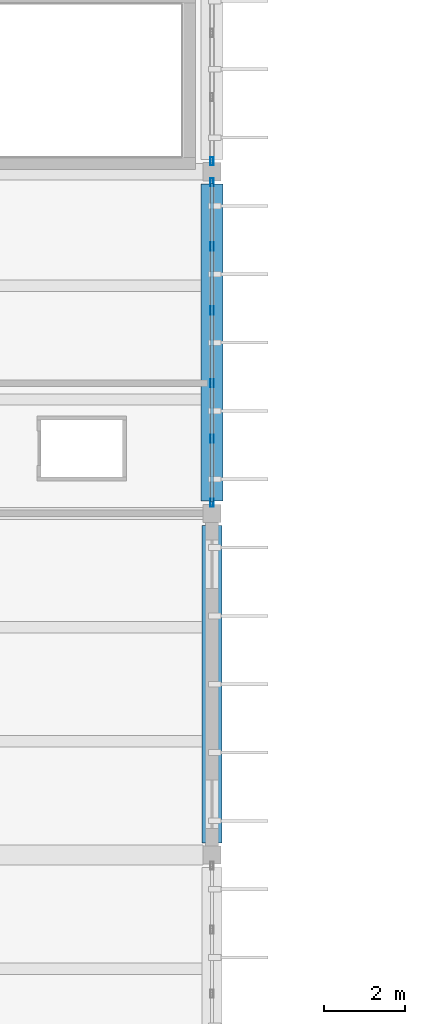
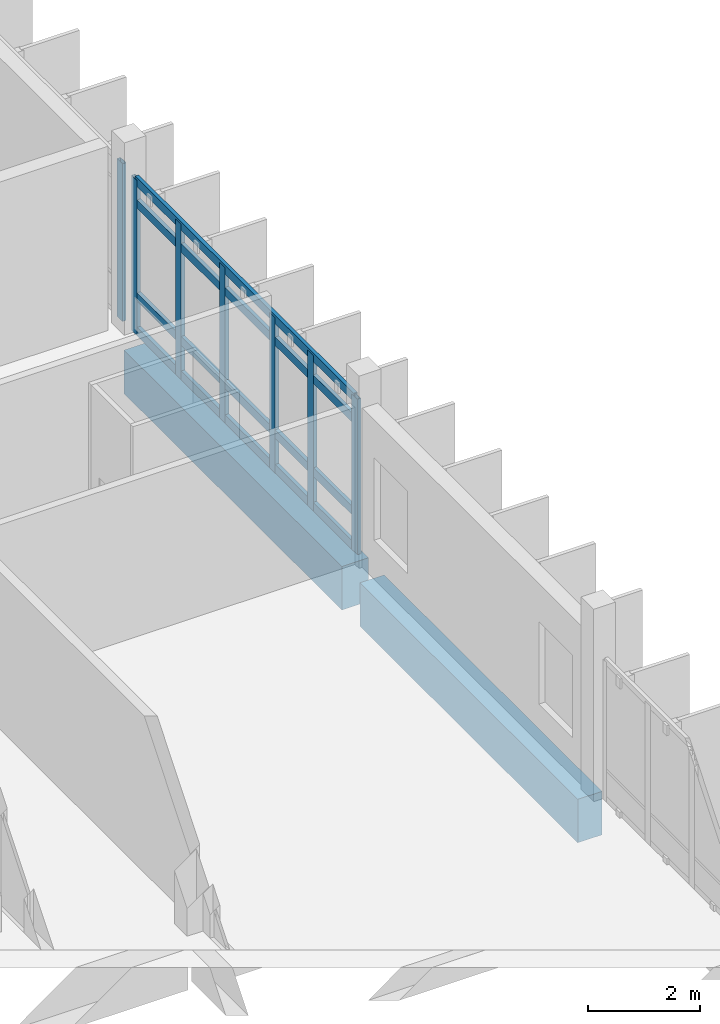
# One storey, part 32 of 62: 11 members, 2 beams, 2 elements without a shape of their own.
"""IFC4 building model written with IfcOpenShell, lengths in metres."""

from ifc_helpers import new_model, si_unit, direction, frame, origin, origin_2d, place, context, subcontext, project, spatial, rectangle, hollow_rectangle, extrude, material, layer, layer_set, material_profile, profile_set, type_object, element, aggregate, save


model = new_model("IFC4")

# Units and contexts
model_context = context("Model", 3, precision=1e-05, world=origin(), true_north=direction((0.0, 1.0)))
body_context = subcontext(model_context, "Body", "Model", "MODEL_VIEW")
ifc_project = project(units=[si_unit("LENGTHUNIT", "METRE"), si_unit("AREAUNIT", "SQUARE_METRE"), si_unit("VOLUMEUNIT", "CUBIC_METRE"), si_unit("PLANEANGLEUNIT", "RADIAN"), si_unit("MASSUNIT", "GRAM", prefix="KILO")], contexts=[model_context])

# Site, building, storey
site_placement = place(None, origin())
site = spatial("IfcSite", under=ifc_project, at=site_placement, CompositionType="ELEMENT")
building_placement = place(site_placement, origin())
building = spatial("IfcBuilding", under=site, at=building_placement, Name="Vireocrest Preparatory School", CompositionType="ELEMENT")
storey_placement = place(building_placement, frame((0.0, 0.0, 17.39990234375)))
storey = spatial("IfcBuildingStorey", under=building, at=storey_placement, Name="L04", CompositionType="ELEMENT", Elevation=17.39990234375)

# Curtain wall, members
ifc_material_1 = material(Name="Thermally broken aluminium EN AW-6063-T6", Category="aluminium")
ifc_layer = layer(ifc_material_1, 0.179931640625)
ifc_layer_set = layer_set([ifc_layer], Name="Thermally broken aluminium EN AW-6063-T6")
curtain_wall_type = type_object("IfcCurtainWallType", Name="Teaching Fin Curtain Wall 8400x4200", PredefinedType="USERDEFINED", material=ifc_layer_set)
curtain_wall_1_placement = place(storey_placement, origin())
curtain_wall_1 = element("IfcCurtainWall", 1, at=curtain_wall_1_placement, inside=storey, type_object=curtain_wall_type, Name="Curtain Wall CW03 CW_L04_CW03_1092_0692_174", ObjectType="CURTAIN WALL", PredefinedType="USERDEFINED")
ifc_material_profile_1 = material_profile(ifc_material_1, hollow_rectangle(XDim=0.074951171875, YDim=0.199951171875, WallThickness=0.0048828125, at=origin_2d()), Name="ALU 75x200x5")
ifc_profile_set_1 = profile_set([ifc_material_profile_1], Name="Thermally broken aluminium EN AW-6063-T6")
member_type_1 = type_object("IfcMemberType", Name="CW Mullion 75x200x5", PredefinedType="MULLION", material=ifc_profile_set_1)
member_1_placement = place(storey_placement, frame((109.199951171875, 69.260009765625, 0.0), z_axis=(0.0, 0.0, 1.0), x_axis=(1.0, 0.0, 0.0)))
member_1 = element("IfcMember", 2, at=member_1_placement, type_object=member_type_1, Name="CW Mullion ML3 CW_L04_CW03_1092_0692_174-1", PredefinedType="MULLION", context=body_context, shape_type="SweptSolid", body=[
    extrude(hollow_rectangle(XDim=0.074951171875, YDim=0.199951171875, WallThickness=0.0048828125, at=origin_2d()), origin(), (0.0, 0.0, 1.0), 3.39501953125),
])
member_2_placement = place(storey_placement, frame((109.199951171875, 70.8359375, 0.0), z_axis=(0.0, 0.0, 1.0), x_axis=(1.0, 0.0, 0.0)))
member_2 = element("IfcMember", 3, at=member_2_placement, type_object=member_type_1, Name="CW Mullion ML3 CW_L04_CW03_1092_0692_174-2", PredefinedType="MULLION", context=body_context, shape_type="SweptSolid", body=[
    extrude(hollow_rectangle(XDim=0.074951171875, YDim=0.199951171875, WallThickness=0.0048828125, at=origin_2d()), origin(), (0.0, 0.0, 1.0), 3.39501953125),
])
member_3_placement = place(storey_placement, frame((109.199951171875, 72.199951171875, 0.0), z_axis=(0.0, 0.0, 1.0), x_axis=(1.0, 0.0, 0.0)))
member_3 = element("IfcMember", 4, at=member_3_placement, type_object=member_type_1, Name="CW Mullion ML3 CW_L04_CW03_1092_0692_174-3", PredefinedType="MULLION", context=body_context, shape_type="SweptSolid", body=[
    extrude(hollow_rectangle(XDim=0.074951171875, YDim=0.199951171875, WallThickness=0.0048828125, at=origin_2d()), origin(), (0.0, 0.0, 1.0), 3.39501953125),
])
member_4_placement = place(storey_placement, frame((109.199951171875, 73.988037109375, 0.0), z_axis=(0.0, 0.0, 1.0), x_axis=(1.0, 0.0, 0.0)))
member_4 = element("IfcMember", 5, at=member_4_placement, type_object=member_type_1, Name="CW Mullion ML3 CW_L04_CW03_1092_0692_174-4", PredefinedType="MULLION", context=body_context, shape_type="SweptSolid", body=[
    extrude(hollow_rectangle(XDim=0.074951171875, YDim=0.199951171875, WallThickness=0.0048828125, at=origin_2d()), origin(), (0.0, 0.0, 1.0), 3.39501953125),
])
member_5_placement = place(storey_placement, frame((109.199951171875, 75.56396484375, 0.0), z_axis=(0.0, 0.0, 1.0), x_axis=(1.0, 0.0, 0.0)))
member_5 = element("IfcMember", 6, at=member_5_placement, type_object=member_type_1, Name="CW Mullion ML3 CW_L04_CW03_1092_0692_174-5", PredefinedType="MULLION", context=body_context, shape_type="SweptSolid", body=[
    extrude(hollow_rectangle(XDim=0.074951171875, YDim=0.199951171875, WallThickness=0.0048828125, at=origin_2d()), origin(), (0.0, 0.0, 1.0), 3.39501953125),
])
member_6_placement = place(storey_placement, frame((109.199951171875, 77.139892578125, 0.0), z_axis=(0.0, 0.0, 1.0), x_axis=(1.0, 0.0, 0.0)))
member_6 = element("IfcMember", 7, at=member_6_placement, type_object=member_type_1, Name="CW Mullion ML3 CW_L04_CW03_1092_0692_174-6", PredefinedType="MULLION", context=body_context, shape_type="SweptSolid", body=[
    extrude(hollow_rectangle(XDim=0.074951171875, YDim=0.199951171875, WallThickness=0.0048828125, at=origin_2d()), origin(), (0.0, 0.0, 1.0), 3.39501953125),
])

# Curtain wall, member
curtain_wall_2_placement = place(storey_placement, origin())
curtain_wall_2 = element("IfcCurtainWall", 8, at=curtain_wall_2_placement, inside=storey, type_object=curtain_wall_type, Name="Curtain Wall CW03 CW_L04_CW03_1092_0776_174", ObjectType="CURTAIN WALL", PredefinedType="USERDEFINED")
member_7_placement = place(storey_placement, frame((109.199951171875, 77.659912109375, 0.0), z_axis=(0.0, 0.0, 1.0), x_axis=(1.0, 0.0, 0.0)))
member_7 = element("IfcMember", 9, at=member_7_placement, type_object=member_type_1, Name="CW Mullion ML3 CW_L04_CW03_1092_0776_174-1", PredefinedType="MULLION", context=body_context, shape_type="SweptSolid", body=[
    extrude(hollow_rectangle(XDim=0.074951171875, YDim=0.199951171875, WallThickness=0.0048828125, at=origin_2d()), origin(), (0.0, 0.0, 1.0), 3.445068359375),
])
aggregate(curtain_wall_2, [member_7])

# Member
ifc_material_profile_2 = material_profile(ifc_material_1, hollow_rectangle(XDim=0.074951171875, YDim=0.18994140625, WallThickness=0.00390625, at=origin_2d()), Name="ALU 75x190x4")
ifc_profile_set_2 = profile_set([ifc_material_profile_2], Name="Thermally broken aluminium EN AW-6063-T6")
member_type_2 = type_object("IfcMemberType", Name="CW Transom 75x190x4", PredefinedType="USERDEFINED", material=ifc_profile_set_2)
member_8_placement = place(storey_placement, frame((109.199951171875, 69.284912109375, 0.09521484375), z_axis=(0.0, 1.0, 0.0), x_axis=(-1.0, 0.0, 0.0)))
member_8 = element("IfcMember", 10, at=member_8_placement, type_object=member_type_2, Name="CW Transom TR3 CW_L04_CW03_1092_0692_174-1", ObjectType="TRANSOM", PredefinedType="USERDEFINED", context=body_context, shape_type="SweptSolid", body=[
    extrude(hollow_rectangle(XDim=0.074951171875, YDim=0.18994140625, WallThickness=0.00390625, at=origin_2d()), origin(), (0.0, 0.0, 1.0), 7.830078125),
])

member_9_placement = place(storey_placement, frame((109.199951171875, 69.284912109375, 0.85009765625), z_axis=(0.0, 1.0, 0.0), x_axis=(-1.0, 0.0, 0.0)))
member_9 = element("IfcMember", 11, at=member_9_placement, type_object=member_type_2, Name="CW Transom TR3 CW_L04_CW03_1092_0692_174-2", ObjectType="TRANSOM", PredefinedType="USERDEFINED", context=body_context, shape_type="SweptSolid", body=[
    extrude(hollow_rectangle(XDim=0.074951171875, YDim=0.18994140625, WallThickness=0.00390625, at=origin_2d()), origin(), (0.0, 0.0, 1.0), 7.830078125),
])

member_10_placement = place(storey_placement, frame((109.199951171875, 69.284912109375, 2.880126953125), z_axis=(0.0, 1.0, 0.0), x_axis=(-1.0, 0.0, 0.0)))
member_10 = element("IfcMember", 12, at=member_10_placement, type_object=member_type_2, Name="CW Transom TR3 CW_L04_CW03_1092_0692_174-3", ObjectType="TRANSOM", PredefinedType="USERDEFINED", context=body_context, shape_type="SweptSolid", body=[
    extrude(hollow_rectangle(XDim=0.074951171875, YDim=0.18994140625, WallThickness=0.00390625, at=origin_2d()), origin(), (0.0, 0.0, 1.0), 7.830078125),
])

member_11_placement = place(storey_placement, frame((109.199951171875, 69.284912109375, 3.35498046875), z_axis=(0.0, 1.0, 0.0), x_axis=(-1.0, 0.0, 0.0)))
member_11 = element("IfcMember", 13, at=member_11_placement, type_object=member_type_2, Name="CW Transom TR3 CW_L04_CW03_1092_0692_174-4", ObjectType="TRANSOM", PredefinedType="USERDEFINED", context=body_context, shape_type="SweptSolid", body=[
    extrude(hollow_rectangle(XDim=0.074951171875, YDim=0.18994140625, WallThickness=0.00390625, at=origin_2d()), origin(), (0.0, 0.0, 1.0), 7.830078125),
])

aggregate(curtain_wall_1, [member_1, member_2, member_3, member_4, member_5, member_6, member_8, member_9, member_10, member_11])

# Beams
ifc_material_2 = material(Name="Concrete 40 MPa", Category="concrete")
ifc_material_profile_3 = material_profile(ifc_material_2, rectangle(XDim=0.5, YDim=0.949951171875, at=origin_2d()), Name="RC 500x950")
ifc_profile_set_3 = profile_set([ifc_material_profile_3], Name="Concrete 40 MPa")
beam_type_1 = type_object("IfcBeamType", Name="RC Basement Ceiling Girder 500x950", PredefinedType="BEAM", material=ifc_profile_set_3)
beam_1_placement = place(storey_placement, frame((109.199951171875, 60.89990234375, -0.73486328125), z_axis=(0.0, 1.0, 0.0), x_axis=(-1.0, 0.0, 0.0)))
element("IfcBeam", 14, at=beam_1_placement, inside=storey, type_object=beam_type_1, Name="Primary Girder B16 L04-1413", PredefinedType="BEAM", context=body_context, shape_type="SweptSolid", body=[
    extrude(rectangle(XDim=0.5, YDim=0.949951171875, at=origin_2d()), origin(), (0.0, 0.0, 1.0), 7.800048828125),
])
ifc_material_profile_4 = material_profile(ifc_material_2, rectangle(XDim=0.550048828125, YDim=0.949951171875, at=origin_2d()), Name="RC 550x950")
ifc_profile_set_4 = profile_set([ifc_material_profile_4], Name="Concrete 40 MPa")
beam_type_2 = type_object("IfcBeamType", Name="RC Setback Edge Girder 550x950", PredefinedType="BEAM", material=ifc_profile_set_4)
beam_2_placement = place(storey_placement, frame((109.199951171875, 69.300048828125, -0.73486328125), z_axis=(0.0, 1.0, 0.0), x_axis=(-1.0, 0.0, 0.0)))
element("IfcBeam", 15, at=beam_2_placement, inside=storey, type_object=beam_type_2, Name="Primary Girder B17 L04-1414", PredefinedType="BEAM", context=body_context, shape_type="SweptSolid", body=[
    extrude(rectangle(XDim=0.550048828125, YDim=0.949951171875, at=origin_2d()), origin(), (0.0, 0.0, 1.0), 7.800048828125),
])

save(model, "model.ifc")
